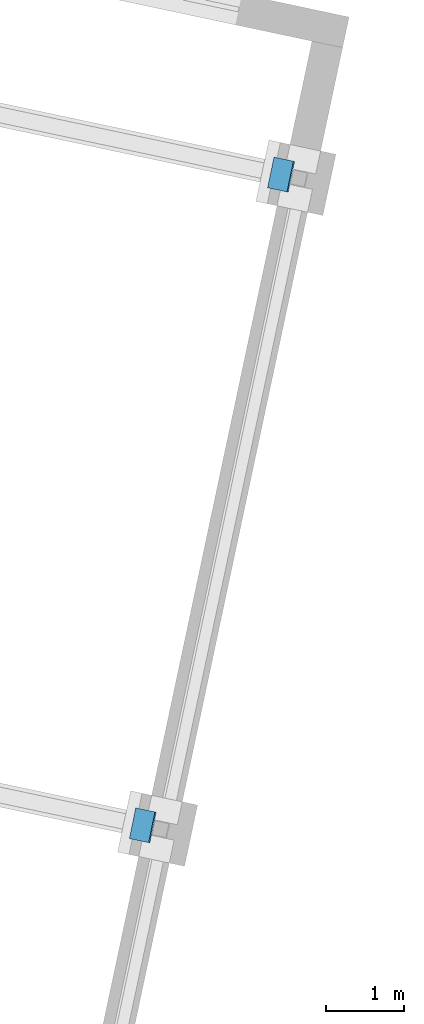
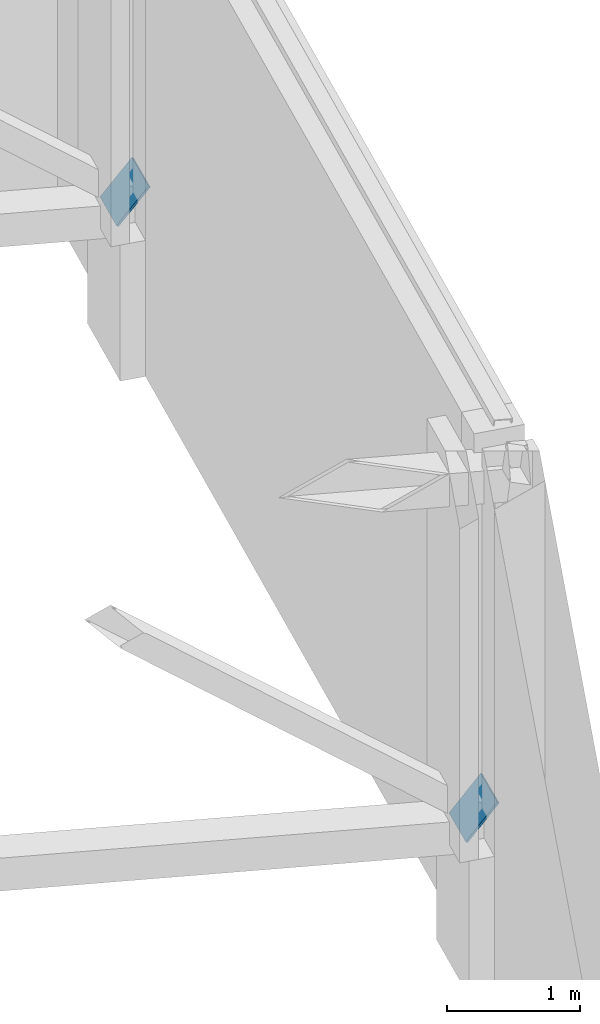
# One storey, part 167 of 182: 2 discrete accessories.
"""IFC4 building model written with IfcOpenShell, lengths in metres."""

import ifcopenshell
import ifcopenshell.guid

model = None  # the IFC model being written
_history = None  # IfcOwnerHistory: only IFC2X3 demands one
_inside = {}  # id of a spatial element -> (the spatial element, [elements in it])
_under = {}  # id of a project, library or spatial element -> (it, [spatial elements below it])
_declared = {}  # id of a project -> (the project, [libraries it declares])
_typed = {}  # id of a type object -> (the type object, [elements of that type])
_made_of = {}  # id of a material, layer set ... -> (it, [elements and type objects made of it])


def new_model(schema):
    """Start an empty IFC model of exactly this schema.

    Asked for "IFC4X3", IfcOpenShell would pick the latest addendum, in which some entities
    have other attributes; the version numbers below select the first issue.
    IFC2X3 requires an IfcOwnerHistory on every rooted entity: one is made here for all.
    """
    global model, _history
    if schema == "IFC4X3":
        model = ifcopenshell.file(schema_version=(4, 3, 0, 0))
    else:
        model = ifcopenshell.file(schema=schema)
    _inside.clear()
    _under.clear()
    _declared.clear()
    _typed.clear()
    _made_of.clear()
    _history = None
    if model.schema == "IFC2X3":
        org = make("IfcOrganization", Name="unknown")
        user = make(
            "IfcPersonAndOrganization",
            ThePerson=make("IfcPerson", FamilyName="unknown"),
            TheOrganization=org,
        )
        app = make(
            "IfcApplication",
            ApplicationDeveloper=org,
            Version="unknown",
            ApplicationFullName="unknown",
            ApplicationIdentifier="unknown",
        )
        _history = make(
            "IfcOwnerHistory",
            OwningUser=user,
            OwningApplication=app,
            ChangeAction="ADDED",
            CreationDate=0,
        )
    return model


def make(cls, **values):
    """One entity of the class cls with the attributes given. An attribute that is None is left unset."""
    return model.create_entity(
        cls, **{name: value for name, value in values.items() if value is not None}
    )


def rooted(cls, **values):
    """An entity with a GlobalId (a new one), such as an element, a storey or a relation."""
    return make(cls, GlobalId=ifcopenshell.guid.new(), OwnerHistory=_history, **values)


def si_unit(unit_type, name, prefix=None):
    """IfcSIUnit, for example si_unit("LENGTHUNIT", "METRE", prefix="MILLI")."""
    return make("IfcSIUnit", UnitType=unit_type, Prefix=prefix, Name=name)


def assignment(units):
    """IfcUnitAssignment: the units of a project."""
    return None if units is None else make("IfcUnitAssignment", Units=units)


def point(xyz):
    """IfcCartesianPoint."""
    return None if xyz is None else make("IfcCartesianPoint", Coordinates=xyz)


def direction(xyz):
    """IfcDirection."""
    return None if xyz is None else make("IfcDirection", DirectionRatios=xyz)


def frame(location, z_axis=None, x_axis=None):
    """IfcAxis2Placement3D, a coordinate frame: its origin and axes. An axis left out is left unset."""
    return make(
        "IfcAxis2Placement3D",
        Location=point(location),
        Axis=direction(z_axis),
        RefDirection=direction(x_axis),
    )


def frame_2d(location, x_axis=None):
    """IfcAxis2Placement2D, a coordinate frame in the plane: its origin and x axis."""
    return make(
        "IfcAxis2Placement2D", Location=point(location), RefDirection=direction(x_axis)
    )


def origin():
    """The frame at (0, 0, 0) with its axes left unset."""
    return frame((0.0, 0.0, 0.0))


def origin_2d():
    """The frame at (0, 0) in the plane with its x axis left unset."""
    return frame_2d((0.0, 0.0))


def place(relative_to, where):
    """IfcLocalPlacement: puts the frame where relative to a parent placement (None: the world)."""
    return make(
        "IfcLocalPlacement", PlacementRelTo=relative_to, RelativePlacement=where
    )


def context(
    kind, dimensions, precision=None, world=None, true_north=None, identifier=None
):
    """IfcGeometricRepresentationContext, for example the 3D "Model" context."""
    return make(
        "IfcGeometricRepresentationContext",
        ContextIdentifier=identifier,
        ContextType=kind,
        CoordinateSpaceDimension=dimensions,
        Precision=precision,
        WorldCoordinateSystem=world,
        TrueNorth=true_north,
    )


def subcontext(parent, identifier, kind, view, scale=None):
    """IfcGeometricRepresentationSubContext, for example "Body" below "Model"."""
    return make(
        "IfcGeometricRepresentationSubContext",
        ContextIdentifier=identifier,
        ContextType=kind,
        ParentContext=parent,
        TargetScale=scale,
        TargetView=view,
    )


def project(units=None, contexts=None):
    """IfcProject with its units and contexts."""
    return rooted(
        "IfcProject",
        Name="project",
        RepresentationContexts=contexts,
        UnitsInContext=assignment(units),
    )


def spatial(cls, under=None, at=None, **own):
    """A site, building, storey or space (cls), placed at a placement, below another one or the project."""
    s = rooted(cls, ObjectPlacement=at, **own)
    if under is not None:
        _under.setdefault(under.id(), (under, []))[1].append(s)
    return s


def profile(cls, at=None, kind="AREA", **sizes):
    """A parametric profile (cls). Its sizes go by their IFC names, for example OverallWidth=200.0."""
    return make(cls, ProfileType=kind, Position=at, **sizes)


def rectangle(**sizes):
    """IfcRectangleProfileDef."""
    return profile("IfcRectangleProfileDef", **sizes)


def extrude(swept, where, along, depth):
    """IfcExtrudedAreaSolid: the profile swept, set in the frame where, extruded along a direction by depth."""
    return make(
        "IfcExtrudedAreaSolid",
        SweptArea=swept,
        Position=where,
        ExtrudedDirection=direction(along),
        Depth=depth,
    )


def shape(context_of_items, identifier, shape_type, items):
    """IfcShapeRepresentation: the items that make up one representation, for example the "Body"."""
    return make(
        "IfcShapeRepresentation",
        ContextOfItems=context_of_items,
        RepresentationIdentifier=identifier,
        RepresentationType=shape_type,
        Items=items,
    )


def material(Name=None, Category=None):
    """IfcMaterial."""
    return make("IfcMaterial", Name=Name, Category=Category)


def layer(
    of_material, thickness, ventilated=None, Name=None, Category=None, Priority=None
):
    """IfcMaterialLayer: one layer of a wall or slab, of a material (None: an air gap)."""
    return make(
        "IfcMaterialLayer",
        Material=of_material,
        LayerThickness=thickness,
        IsVentilated=ventilated,
        Name=Name,
        Category=Category,
        Priority=Priority,
    )


def layer_set(layers, Name=None):
    """IfcMaterialLayerSet."""
    return make("IfcMaterialLayerSet", MaterialLayers=layers, LayerSetName=Name)


def made_of(thing, what):
    """Note that an element or type object is made of a material, layer set ...; save() writes the relation."""
    if what is not None:
        _made_of.setdefault(what.id(), (what, []))[1].append(thing)
    return thing


def type_object(cls, material=None, **own):
    """A type object (cls), such as IfcWallType, which elements share."""
    return made_of(rooted(cls, **own), material)


def element(
    cls,
    number,
    at=None,
    inside=None,
    cuts=None,
    type_object=None,
    material=None,
    context=None,
    identifier="Body",
    shape_type=None,
    held_by="IfcProductDefinitionShape",
    body=None,
    shapes=None,
    **own,
):
    """One element of the class cls, such as IfcWall. Its Tag is "e" and its number.

    at: its placement. inside: the storey or other place that contains it. cuts: it is an
    opening in that element (IfcRelVoidsElement). A single representation is given by context,
    identifier, shape_type and body (its items); several are given by shapes. held_by: the class
    of the entity that holds the representations. save() writes the other relations.
    """
    e = rooted(cls, Tag="e%d" % number, ObjectPlacement=at, **own)
    if body is not None:
        shapes = [shape(context, identifier, shape_type, body)]
    if shapes is not None:
        e.Representation = make(held_by, Representations=shapes)
    if inside is not None:
        _inside.setdefault(inside.id(), (inside, []))[1].append(e)
    if cuts is not None:
        rooted(
            "IfcRelVoidsElement", RelatingBuildingElement=cuts, RelatedOpeningElement=e
        )
    if type_object is not None:
        _typed.setdefault(type_object.id(), (type_object, []))[1].append(e)
    return made_of(e, material)


def aggregate(whole, parts):
    """IfcRelAggregates: a whole, such as a stair, and the parts it consists of."""
    return rooted("IfcRelAggregates", RelatingObject=whole, RelatedObjects=parts)


def save(model, path):
    """Write the relations noted so far, then the file.

    IfcRelAggregates (storeys below a building ...), IfcRelContainedInSpatialStructure (elements
    in a storey), IfcRelDefinesByType, IfcRelAssociatesMaterial and IfcRelDeclares: one each for
    every whole, place, type object, material and project.
    """
    for whole, parts in _under.values():
        aggregate(whole, parts)
    for where, things in _inside.values():
        rooted(
            "IfcRelContainedInSpatialStructure",
            RelatedElements=things,
            RelatingStructure=where,
        )
    for kind, things in _typed.values():
        rooted("IfcRelDefinesByType", RelatedObjects=things, RelatingType=kind)
    for what, things in _made_of.values():
        rooted("IfcRelAssociatesMaterial", RelatedObjects=things, RelatingMaterial=what)
    for by, libraries in _declared.values():
        rooted("IfcRelDeclares", RelatingContext=by, RelatedDefinitions=libraries)
    model.write(path)


model = new_model("IFC4")

# Units and contexts
model_context = context("Model", 3, precision=1e-05, world=origin(), true_north=direction((0.0, 1.0)))
body_context = subcontext(model_context, "Body", "Model", "MODEL_VIEW")
ifc_project = project(units=[si_unit("LENGTHUNIT", "METRE"), si_unit("AREAUNIT", "SQUARE_METRE"), si_unit("VOLUMEUNIT", "CUBIC_METRE"), si_unit("PLANEANGLEUNIT", "RADIAN"), si_unit("MASSUNIT", "GRAM", prefix="KILO")], contexts=[model_context])

# Site, building, storey
site_placement = place(None, origin())
site = spatial("IfcSite", under=ifc_project, at=site_placement, CompositionType="ELEMENT")
building_placement = place(site_placement, origin())
building = spatial("IfcBuilding", under=site, at=building_placement, Name="Okhra Congress Centre", CompositionType="ELEMENT")
storey_placement = place(building_placement, frame((0.0, 0.0, 7.199951171875)))
storey = spatial("IfcBuildingStorey", under=building, at=storey_placement, Name="L01", CompositionType="ELEMENT", Elevation=7.199951171875)

# Discrete accessories
ifc_material = material(Name="Steel S355J2", Category="steel")
ifc_layer = layer(ifc_material, 0.02001953125)
ifc_layer_set = layer_set([ifc_layer], Name="Brace end connection plate 20 mm S355")
discrete_accessory_type = type_object("IfcDiscreteAccessoryType", Name="Brace end connection plate 20 mm S355", PredefinedType="BRACKET", material=ifc_layer_set)
discrete_accessory_1_placement = place(storey_placement, frame((261.952392578125, 117.254638671875, 1.442138671875), z_axis=(0.761638720064, -0.15716354541, -0.62865418164), x_axis=(0.202091528728, 0.97936663922, 0.0)))
element("IfcDiscreteAccessory", 1, at=discrete_accessory_1_placement, inside=storey, type_object=discrete_accessory_type, Name="Brace end connection plate", PredefinedType="BRACKET", context=body_context, shape_type="SweptSolid", body=[
    extrude(rectangle(XDim=0.39990234375, YDim=0.39990234375, at=origin_2d()), origin(), (0.0, 0.0, 1.0), 0.020263671875),
])
discrete_accessory_2_placement = place(storey_placement, frame((263.7197265625, 125.56884765625, 1.442138671875), z_axis=(0.756491435081, -0.158619171872, -0.634476687487), x_axis=(0.205214844297, 0.978716949726, 0.0)))
element("IfcDiscreteAccessory", 2, at=discrete_accessory_2_placement, inside=storey, type_object=discrete_accessory_type, Name="Brace end connection plate", PredefinedType="BRACKET", context=body_context, shape_type="SweptSolid", body=[
    extrude(rectangle(XDim=0.39990234375, YDim=0.39990234375, at=origin_2d()), origin(), (0.0, 0.0, 1.0), 0.02001953125),
])

save(model, "model.ifc")
